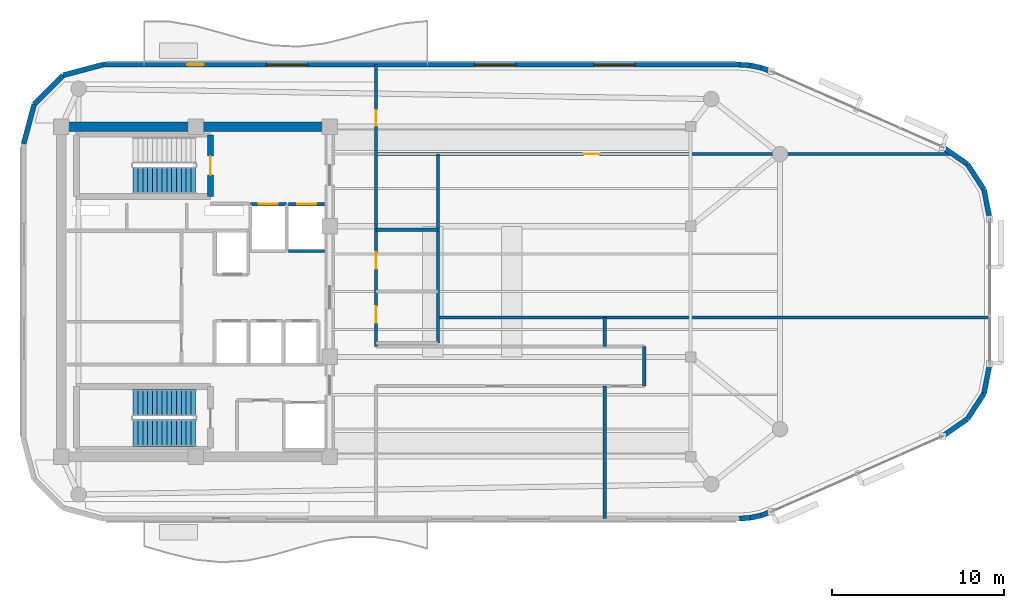
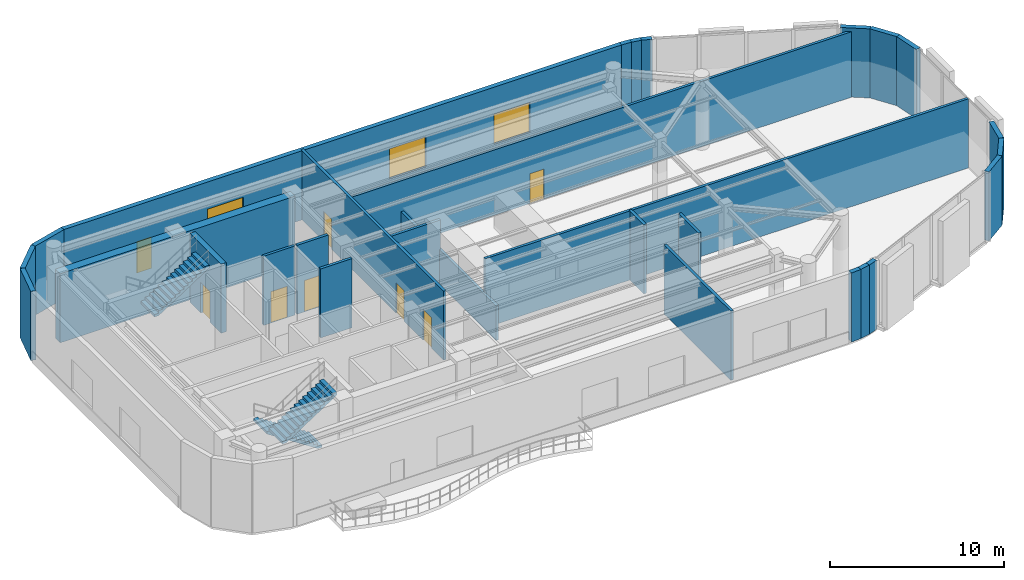
# One storey, part 9 of 12: 29 walls, 8 doors, 3 stair flights, 3 windows, 11 openings, 2 elements without a shape of their own.
"""IFC4 building model written with IfcOpenShell, lengths in metres."""

import ifcopenshell
import ifcopenshell.guid

model = None  # the IFC model being written
_history = None  # IfcOwnerHistory: only IFC2X3 demands one
_inside = {}  # id of a spatial element -> (the spatial element, [elements in it])
_under = {}  # id of a project, library or spatial element -> (it, [spatial elements below it])
_declared = {}  # id of a project -> (the project, [libraries it declares])
_typed = {}  # id of a type object -> (the type object, [elements of that type])
_made_of = {}  # id of a material, layer set ... -> (it, [elements and type objects made of it])


def new_model(schema):
    """Start an empty IFC model of exactly this schema.

    Asked for "IFC4X3", IfcOpenShell would pick the latest addendum, in which some entities
    have other attributes; the version numbers below select the first issue.
    IFC2X3 requires an IfcOwnerHistory on every rooted entity: one is made here for all.
    """
    global model, _history
    if schema == "IFC4X3":
        model = ifcopenshell.file(schema_version=(4, 3, 0, 0))
    else:
        model = ifcopenshell.file(schema=schema)
    _inside.clear()
    _under.clear()
    _declared.clear()
    _typed.clear()
    _made_of.clear()
    _history = None
    if model.schema == "IFC2X3":
        org = make("IfcOrganization", Name="unknown")
        user = make(
            "IfcPersonAndOrganization",
            ThePerson=make("IfcPerson", FamilyName="unknown"),
            TheOrganization=org,
        )
        app = make(
            "IfcApplication",
            ApplicationDeveloper=org,
            Version="unknown",
            ApplicationFullName="unknown",
            ApplicationIdentifier="unknown",
        )
        _history = make(
            "IfcOwnerHistory",
            OwningUser=user,
            OwningApplication=app,
            ChangeAction="ADDED",
            CreationDate=0,
        )
    return model


def make(cls, **values):
    """One entity of the class cls with the attributes given. An attribute that is None is left unset."""
    return model.create_entity(
        cls, **{name: value for name, value in values.items() if value is not None}
    )


def rooted(cls, **values):
    """An entity with a GlobalId (a new one), such as an element, a storey or a relation."""
    return make(cls, GlobalId=ifcopenshell.guid.new(), OwnerHistory=_history, **values)


def si_unit(unit_type, name, prefix=None):
    """IfcSIUnit, for example si_unit("LENGTHUNIT", "METRE", prefix="MILLI")."""
    return make("IfcSIUnit", UnitType=unit_type, Prefix=prefix, Name=name)


def assignment(units):
    """IfcUnitAssignment: the units of a project."""
    return None if units is None else make("IfcUnitAssignment", Units=units)


def point(xyz):
    """IfcCartesianPoint."""
    return None if xyz is None else make("IfcCartesianPoint", Coordinates=xyz)


def direction(xyz):
    """IfcDirection."""
    return None if xyz is None else make("IfcDirection", DirectionRatios=xyz)


def frame(location, z_axis=None, x_axis=None):
    """IfcAxis2Placement3D, a coordinate frame: its origin and axes. An axis left out is left unset."""
    return make(
        "IfcAxis2Placement3D",
        Location=point(location),
        Axis=direction(z_axis),
        RefDirection=direction(x_axis),
    )


def frame_2d(location, x_axis=None):
    """IfcAxis2Placement2D, a coordinate frame in the plane: its origin and x axis."""
    return make(
        "IfcAxis2Placement2D", Location=point(location), RefDirection=direction(x_axis)
    )


def origin():
    """The frame at (0, 0, 0) with its axes left unset."""
    return frame((0.0, 0.0, 0.0))


def place(relative_to, where):
    """IfcLocalPlacement: puts the frame where relative to a parent placement (None: the world)."""
    return make(
        "IfcLocalPlacement", PlacementRelTo=relative_to, RelativePlacement=where
    )


def context(
    kind, dimensions, precision=None, world=None, true_north=None, identifier=None
):
    """IfcGeometricRepresentationContext, for example the 3D "Model" context."""
    return make(
        "IfcGeometricRepresentationContext",
        ContextIdentifier=identifier,
        ContextType=kind,
        CoordinateSpaceDimension=dimensions,
        Precision=precision,
        WorldCoordinateSystem=world,
        TrueNorth=true_north,
    )


def subcontext(parent, identifier, kind, view, scale=None):
    """IfcGeometricRepresentationSubContext, for example "Body" below "Model"."""
    return make(
        "IfcGeometricRepresentationSubContext",
        ContextIdentifier=identifier,
        ContextType=kind,
        ParentContext=parent,
        TargetScale=scale,
        TargetView=view,
    )


def project(units=None, contexts=None):
    """IfcProject with its units and contexts."""
    return rooted(
        "IfcProject",
        Name="project",
        RepresentationContexts=contexts,
        UnitsInContext=assignment(units),
    )


def spatial(cls, under=None, at=None, **own):
    """A site, building, storey or space (cls), placed at a placement, below another one or the project."""
    s = rooted(cls, ObjectPlacement=at, **own)
    if under is not None:
        _under.setdefault(under.id(), (under, []))[1].append(s)
    return s


def polyline(points):
    """IfcPolyline through the points."""
    return make("IfcPolyline", Points=[point(p) for p in points])


def profile(cls, at=None, kind="AREA", **sizes):
    """A parametric profile (cls). Its sizes go by their IFC names, for example OverallWidth=200.0."""
    return make(cls, ProfileType=kind, Position=at, **sizes)


def rectangle(**sizes):
    """IfcRectangleProfileDef."""
    return profile("IfcRectangleProfileDef", **sizes)


def outline(outer, holes=None, kind="AREA"):
    """IfcArbitraryClosedProfileDef: a profile drawn as a closed curve; with holes, ...WithVoids."""
    if holes is None:
        return make("IfcArbitraryClosedProfileDef", ProfileType=kind, OuterCurve=outer)
    return make(
        "IfcArbitraryProfileDefWithVoids",
        ProfileType=kind,
        OuterCurve=outer,
        InnerCurves=holes,
    )


def extrude(swept, where, along, depth):
    """IfcExtrudedAreaSolid: the profile swept, set in the frame where, extruded along a direction by depth."""
    return make(
        "IfcExtrudedAreaSolid",
        SweptArea=swept,
        Position=where,
        ExtrudedDirection=direction(along),
        Depth=depth,
    )


def shape(context_of_items, identifier, shape_type, items):
    """IfcShapeRepresentation: the items that make up one representation, for example the "Body"."""
    return make(
        "IfcShapeRepresentation",
        ContextOfItems=context_of_items,
        RepresentationIdentifier=identifier,
        RepresentationType=shape_type,
        Items=items,
    )


def material(Name=None, Category=None):
    """IfcMaterial."""
    return make("IfcMaterial", Name=Name, Category=Category)


def layer(
    of_material, thickness, ventilated=None, Name=None, Category=None, Priority=None
):
    """IfcMaterialLayer: one layer of a wall or slab, of a material (None: an air gap)."""
    return make(
        "IfcMaterialLayer",
        Material=of_material,
        LayerThickness=thickness,
        IsVentilated=ventilated,
        Name=Name,
        Category=Category,
        Priority=Priority,
    )


def layer_set(layers, Name=None):
    """IfcMaterialLayerSet."""
    return make("IfcMaterialLayerSet", MaterialLayers=layers, LayerSetName=Name)


def made_of(thing, what):
    """Note that an element or type object is made of a material, layer set ...; save() writes the relation."""
    if what is not None:
        _made_of.setdefault(what.id(), (what, []))[1].append(thing)
    return thing


def type_object(cls, material=None, **own):
    """A type object (cls), such as IfcWallType, which elements share."""
    return made_of(rooted(cls, **own), material)


def element(
    cls,
    number,
    at=None,
    inside=None,
    cuts=None,
    type_object=None,
    material=None,
    context=None,
    identifier="Body",
    shape_type=None,
    held_by="IfcProductDefinitionShape",
    body=None,
    shapes=None,
    **own,
):
    """One element of the class cls, such as IfcWall. Its Tag is "e" and its number.

    at: its placement. inside: the storey or other place that contains it. cuts: it is an
    opening in that element (IfcRelVoidsElement). A single representation is given by context,
    identifier, shape_type and body (its items); several are given by shapes. held_by: the class
    of the entity that holds the representations. save() writes the other relations.
    """
    e = rooted(cls, Tag="e%d" % number, ObjectPlacement=at, **own)
    if body is not None:
        shapes = [shape(context, identifier, shape_type, body)]
    if shapes is not None:
        e.Representation = make(held_by, Representations=shapes)
    if inside is not None:
        _inside.setdefault(inside.id(), (inside, []))[1].append(e)
    if cuts is not None:
        rooted(
            "IfcRelVoidsElement", RelatingBuildingElement=cuts, RelatedOpeningElement=e
        )
    if type_object is not None:
        _typed.setdefault(type_object.id(), (type_object, []))[1].append(e)
    return made_of(e, material)


def fill(opening, filler):
    """IfcRelFillsElement: the door or window that sits in an opening."""
    return rooted(
        "IfcRelFillsElement",
        RelatingOpeningElement=opening,
        RelatedBuildingElement=filler,
    )


def aggregate(whole, parts):
    """IfcRelAggregates: a whole, such as a stair, and the parts it consists of."""
    return rooted("IfcRelAggregates", RelatingObject=whole, RelatedObjects=parts)


def save(model, path):
    """Write the relations noted so far, then the file.

    IfcRelAggregates (storeys below a building ...), IfcRelContainedInSpatialStructure (elements
    in a storey), IfcRelDefinesByType, IfcRelAssociatesMaterial and IfcRelDeclares: one each for
    every whole, place, type object, material and project.
    """
    for whole, parts in _under.values():
        aggregate(whole, parts)
    for where, things in _inside.values():
        rooted(
            "IfcRelContainedInSpatialStructure",
            RelatedElements=things,
            RelatingStructure=where,
        )
    for kind, things in _typed.values():
        rooted("IfcRelDefinesByType", RelatedObjects=things, RelatingType=kind)
    for what, things in _made_of.values():
        rooted("IfcRelAssociatesMaterial", RelatedObjects=things, RelatingMaterial=what)
    for by, libraries in _declared.values():
        rooted("IfcRelDeclares", RelatingContext=by, RelatedDefinitions=libraries)
    model.write(path)


model = new_model("IFC4")

# Units and contexts
model_context = context("Model", 3, precision=1e-05, world=origin(), true_north=direction((0.0, 1.0)))
body_context = subcontext(model_context, "Body", "Model", "MODEL_VIEW")
ifc_project = project(units=[si_unit("LENGTHUNIT", "METRE"), si_unit("AREAUNIT", "SQUARE_METRE"), si_unit("VOLUMEUNIT", "CUBIC_METRE"), si_unit("PLANEANGLEUNIT", "RADIAN"), si_unit("MASSUNIT", "GRAM", prefix="KILO")], contexts=[model_context])

# Site, building, storey
site_placement = place(None, origin())
site = spatial("IfcSite", under=ifc_project, at=site_placement, CompositionType="ELEMENT")
building_placement = place(site_placement, origin())
building = spatial("IfcBuilding", under=site, at=building_placement, Name="An Khanh Terracotta Commons", CompositionType="ELEMENT")
storey_placement = place(building_placement, frame((0.0, 0.0, 295.300048828125)))
storey = spatial("IfcBuildingStorey", under=building, at=storey_placement, Name="L77", CompositionType="ELEMENT", Elevation=295.300048828125)

# Wall
ifc_material_1 = material(Name="Concrete C50/60", Category="concrete")
ifc_layer_1 = layer(ifc_material_1, 0.550048828125, Name="Concrete C50/60")
ifc_layer_set_1 = layer_set([ifc_layer_1], Name="Concrete C50/60")
wall_type_1 = type_object("IfcWallType", Name="WALL-CORE-550", PredefinedType="SHEAR", material=ifc_layer_set_1)
wall_1_placement = place(storey_placement, frame((21.60009765625, 33.60009765625, 0.0), z_axis=(0.0, 0.0, 1.0), x_axis=(1.0, 0.0, 0.0)))
element("IfcWall", 1, at=wall_1_placement, inside=storey, type_object=wall_type_1, Name="L77 Core Wall CWALL-L77-N", PredefinedType="SHEAR", context=body_context, shape_type="SweptSolid", body=[
    extrude(rectangle(XDim=15.599853515625, YDim=0.550048828125, at=frame_2d((7.7998046875, 0.0))), origin(), (0.0, 0.0, 1.0), 4.849853515625),
])

# Wall, opening, door
ifc_material_2 = material(Name="Fire-Rated Gypsum Board on Steel Stud", Category="steel")
ifc_layer_2 = layer(ifc_material_2, 0.179931640625, Name="Fire-Rated Gypsum Board on Steel Stud")
ifc_layer_set_2 = layer_set([ifc_layer_2], Name="Fire-Rated Gypsum Board on Steel Stud")
wall_type_2 = type_object("IfcWallType", Name="WALL-CORR-180", PredefinedType="PARTITIONING", material=ifc_layer_set_2)
wall_2_placement = place(storey_placement, frame((32.60009765625, 29.080078125, 0.0), z_axis=(0.0, 0.0, 1.0), x_axis=(1.0, 0.0, 0.0)))
wall_2 = element("IfcWall", 2, at=wall_2_placement, inside=storey, type_object=wall_type_2, Name="L77 Core Wall LSH-L77-FFL-01-N", PredefinedType="PARTITIONING", context=body_context, shape_type="SweptSolid", body=[
    extrude(rectangle(XDim=2.079833984375, YDim=0.179931640625, at=frame_2d((1.0400390625, 0.0))), origin(), (0.0, 0.0, 1.0), 4.849853515625),
])
opening_1_placement = place(wall_2_placement, frame((0.489990234375, 0.0, 0.0)))
opening_1 = element("IfcOpeningElement", 3, at=opening_1_placement, cuts=wall_2, Name="Opening LD-FFL-01-L77", PredefinedType="OPENING", context=body_context, shape_type="SweptSolid", body=[
    extrude(rectangle(XDim=1.10009765625, YDim=2.199951171875, at=frame_2d((0.550048828125, 1.10009765625))), frame((0.0, 0.099853515625, 0.0), z_axis=(0.0, -1.0, 0.0), x_axis=(1.0, 0.0, 0.0)), (0.0, 0.0, 1.0), 0.199951171875),
])
ifc_material_3 = material(Name="Brushed Stainless Steel Fire Landing Door", Category="steel")
door_type_1 = type_object("IfcDoorType", Name="DOOR-LD-FFL-1100", OperationType="NOTDEFINED", PredefinedType="DOOR", material=ifc_material_3)
door_1_placement = place(opening_1_placement, origin())
door_1 = element("IfcDoor", 4, at=door_1_placement, inside=storey, type_object=door_type_1, Name="L77 Lift FFL-01 Sliding Landing Door", OperationType="DOUBLE_DOOR_SLIDING", OverallHeight=2.199951171875, OverallWidth=1.10009765625, PredefinedType="DOOR", context=body_context, shape_type="SweptSolid", body=[
    extrude(rectangle(XDim=1.10009765625, YDim=2.199951171875, at=frame_2d((0.550048828125, 1.10009765625))), frame((0.0, 0.02490234375, 0.0), z_axis=(0.0, -1.0, 0.0), x_axis=(1.0, 0.0, 0.0)), (0.0, 0.0, 1.0), 0.050048828125),
])
fill(opening_1, door_1)

wall_3_placement = place(storey_placement, frame((34.820068359375, 29.080078125, 0.0), z_axis=(0.0, 0.0, 1.0), x_axis=(1.0, 0.0, 0.0)))
wall_3 = element("IfcWall", 5, at=wall_3_placement, inside=storey, type_object=wall_type_2, Name="L77 Core Wall LSH-L77-FFL-02-N", PredefinedType="PARTITIONING", context=body_context, shape_type="SweptSolid", body=[
    extrude(rectangle(XDim=2.079833984375, YDim=0.179931640625, at=frame_2d((1.0400390625, 0.0))), origin(), (0.0, 0.0, 1.0), 4.849853515625),
])
opening_2_placement = place(wall_3_placement, frame((0.489990234375, 0.0, 0.0)))
opening_2 = element("IfcOpeningElement", 6, at=opening_2_placement, cuts=wall_3, Name="Opening LD-FFL-02-L77", PredefinedType="OPENING", context=body_context, shape_type="SweptSolid", body=[
    extrude(rectangle(XDim=1.10009765625, YDim=2.199951171875, at=frame_2d((0.550048828125, 1.10009765625))), frame((0.0, 0.099853515625, 0.0), z_axis=(0.0, -1.0, 0.0), x_axis=(1.0, 0.0, 0.0)), (0.0, 0.0, 1.0), 0.199951171875),
])
door_2_placement = place(opening_2_placement, origin())
door_2 = element("IfcDoor", 7, at=door_2_placement, inside=storey, type_object=door_type_1, Name="L77 Lift FFL-02 Sliding Landing Door", OperationType="DOUBLE_DOOR_SLIDING", OverallHeight=2.199951171875, OverallWidth=1.10009765625, PredefinedType="DOOR", context=body_context, shape_type="SweptSolid", body=[
    extrude(rectangle(XDim=1.10009765625, YDim=2.199951171875, at=frame_2d((0.550048828125, 1.10009765625))), frame((0.0, 0.02490234375, 0.0), z_axis=(0.0, -1.0, 0.0), x_axis=(1.0, 0.0, 0.0)), (0.0, 0.0, 1.0), 0.050048828125),
])
fill(opening_2, door_2)

# Walls
wall_4_placement = place(storey_placement, frame((36.89990234375, 26.35009765625, 0.0), z_axis=(0.0, 0.0, 1.0), x_axis=(-1.0, 0.0, 0.0)))
element("IfcWall", 8, at=wall_4_placement, inside=storey, type_object=wall_type_2, Name="L77 Core Wall LSH-L77-FFL-02-S", PredefinedType="PARTITIONING", context=body_context, shape_type="SweptSolid", body=[
    extrude(rectangle(XDim=2.079833984375, YDim=0.179931640625, at=frame_2d((1.0400390625, 0.0))), origin(), (0.0, 0.0, 1.0), 4.849853515625),
])
wall_5_placement = place(storey_placement, frame((43.5, 22.5, 0.0), z_axis=(0.0, 0.0, 1.0), x_axis=(1.0, 0.0, 0.0)))
element("IfcWall", 9, at=wall_5_placement, inside=storey, type_object=wall_type_2, Name="L77 Interior Partition IW-L77-E004", PredefinedType="PARTITIONING", context=body_context, shape_type="SweptSolid", body=[
    extrude(rectangle(XDim=32.10009765625, YDim=0.179931640625, at=frame_2d((16.050048828125, 0.0))), origin(), (0.0, 0.0, 1.0), 4.849853515625),
])
wall_6_placement = place(storey_placement, frame((39.89990234375, 27.60009765625, 0.0), z_axis=(0.0, 0.0, 1.0), x_axis=(1.0, 0.0, 0.0)))
element("IfcWall", 10, at=wall_6_placement, inside=storey, type_object=wall_type_2, Name="L77 Interior Partition IW-L77-E006", PredefinedType="PARTITIONING", context=body_context, shape_type="SweptSolid", body=[
    extrude(rectangle(XDim=3.60009765625, YDim=0.179931640625, at=frame_2d((1.800048828125, 0.0))), origin(), (0.0, 0.0, 1.0), 4.491943359375),
])

# Wall, opening, door
wall_7_placement = place(storey_placement, frame((39.89990234375, 32.0, 0.0), z_axis=(0.0, 0.0, 1.0), x_axis=(1.0, 0.0, 0.0)))
wall_7 = element("IfcWall", 11, at=wall_7_placement, inside=storey, type_object=wall_type_2, Name="L77 Interior Partition IW-L77-E007", PredefinedType="PARTITIONING", context=body_context, shape_type="SweptSolid", body=[
    extrude(rectangle(XDim=33.547119140625, YDim=0.179931640625, at=frame_2d((16.7734375, 0.0))), origin(), (0.0, 0.0, 1.0), 4.592041015625),
])
opening_3_placement = place(wall_7_placement, frame((12.080078125, 0.0, 0.0)))
opening_3 = element("IfcOpeningElement", 12, at=opening_3_placement, cuts=wall_7, Name="Opening D-RM", PredefinedType="OPENING", context=body_context, shape_type="SweptSolid", body=[
    extrude(rectangle(XDim=0.919921875, YDim=2.10009765625, at=frame_2d((0.4599609375, 1.050048828125))), frame((0.0, 0.099853515625, 0.0), z_axis=(0.0, -1.0, 0.0), x_axis=(1.0, 0.0, 0.0)), (0.0, 0.0, 1.0), 0.199951171875),
])
ifc_material_4 = material(Name="Engineered Hardwood Timber Leaf", Category="wood")
door_type_2 = type_object("IfcDoorType", Name="DOOR-INT-920", OperationType="NOTDEFINED", PredefinedType="DOOR", material=ifc_material_4)
door_3_placement = place(opening_3_placement, origin())
door_3 = element("IfcDoor", 13, at=door_3_placement, inside=storey, type_object=door_type_2, Name="L77 SKIT Summit Banquet Hall Door", OperationType="SINGLE_SWING_RIGHT", OverallHeight=2.10009765625, OverallWidth=0.919921875, PredefinedType="DOOR", context=body_context, shape_type="SweptSolid", body=[
    extrude(rectangle(XDim=0.919921875, YDim=2.10009765625, at=frame_2d((0.4599609375, 1.050048828125))), frame((0.0, 0.02490234375, 0.0), z_axis=(0.0, -1.0, 0.0), x_axis=(1.0, 0.0, 0.0)), (0.0, 0.0, 1.0), 0.050048828125),
])
fill(opening_3, door_3)

# Wall, openings, doors
wall_8_placement = place(storey_placement, frame((39.89990234375, 20.800048828125, 0.0), z_axis=(0.0, 0.0, 1.0), x_axis=(0.0, 1.0, 0.0)))
wall_8 = element("IfcWall", 14, at=wall_8_placement, inside=storey, type_object=wall_type_2, Name="L77 Interior Partition IW-L77-E009", PredefinedType="PARTITIONING", context=body_context, shape_type="SweptSolid", body=[
    extrude(rectangle(XDim=16.39990234375, YDim=0.179931640625, at=frame_2d((8.199951171875, 0.0))), origin(), (0.0, 0.0, 1.0), 4.849853515625),
])
opening_4_placement = place(wall_8_placement, frame((1.385009765625, 0.0, 0.0)))
opening_4 = element("IfcOpeningElement", 15, at=opening_4_placement, cuts=wall_8, Name="Opening D-LWC", PredefinedType="OPENING", context=body_context, shape_type="SweptSolid", body=[
    extrude(rectangle(XDim=0.949951171875, YDim=2.14990234375, at=frame_2d((0.47509765625, 1.074951171875))), frame((0.0, 0.099853515625, 0.0), z_axis=(0.0, -1.0, 0.0), x_axis=(1.0, 0.0, 0.0)), (0.0, 0.0, 1.0), 0.199951171875),
])
opening_5_placement = place(wall_8_placement, frame((4.52490234375, 0.0, 0.0)))
opening_5 = element("IfcOpeningElement", 16, at=opening_5_placement, cuts=wall_8, Name="Opening D-LWC", PredefinedType="OPENING", context=body_context, shape_type="SweptSolid", body=[
    extrude(rectangle(XDim=0.949951171875, YDim=2.14990234375, at=frame_2d((0.47509765625, 1.074951171875))), frame((0.0, 0.099853515625, 0.0), z_axis=(0.0, -1.0, 0.0), x_axis=(1.0, 0.0, 0.0)), (0.0, 0.0, 1.0), 0.199951171875),
])
opening_6_placement = place(wall_8_placement, frame((12.840087890625, 0.0, 0.0)))
opening_6 = element("IfcOpeningElement", 17, at=opening_6_placement, cuts=wall_8, Name="Opening D-RM", PredefinedType="OPENING", context=body_context, shape_type="SweptSolid", body=[
    extrude(rectangle(XDim=0.919921875, YDim=2.10009765625, at=frame_2d((0.4599609375, 1.050048828125))), frame((0.0, 0.099853515625, 0.0), z_axis=(0.0, -1.0, 0.0), x_axis=(1.0, 0.0, 0.0)), (0.0, 0.0, 1.0), 0.199951171875),
])
door_4_placement = place(opening_6_placement, origin())
door_4 = element("IfcDoor", 18, at=door_4_placement, inside=storey, type_object=door_type_2, Name="L77 SLNG Summit Riverfront Dining Hall Door", OperationType="SINGLE_SWING_LEFT", OverallHeight=2.10009765625, OverallWidth=0.919921875, PredefinedType="DOOR", context=body_context, shape_type="SweptSolid", body=[
    extrude(rectangle(XDim=0.919921875, YDim=2.10009765625, at=frame_2d((0.4599609375, 1.050048828125))), frame((0.0, 0.02490234375, 0.0), z_axis=(0.0, -1.0, 0.0), x_axis=(1.0, 0.0, 0.0)), (0.0, 0.0, 1.0), 0.050048828125),
])
fill(opening_6, door_4)
ifc_material_5 = material(Name="Fire-Rated Moisture-Resistant Laminate Timber Leaf", Category="wood")
door_type_3 = type_object("IfcDoorType", Name="DOOR-LOBWC-950", OperationType="NOTDEFINED", PredefinedType="DOOR", material=ifc_material_5)
door_5_placement = place(opening_4_placement, origin())
door_5 = element("IfcDoor", 19, at=door_5_placement, inside=storey, type_object=door_type_3, Name="L77 AWC Sky Lobby Accessible WC Door", OperationType="SINGLE_SWING_LEFT", OverallHeight=2.14990234375, OverallWidth=0.949951171875, PredefinedType="DOOR", context=body_context, shape_type="SweptSolid", body=[
    extrude(rectangle(XDim=0.949951171875, YDim=2.14990234375, at=frame_2d((0.47509765625, 1.074951171875))), frame((0.0, 0.02490234375, 0.0), z_axis=(0.0, -1.0, 0.0), x_axis=(1.0, 0.0, 0.0)), (0.0, 0.0, 1.0), 0.050048828125),
])
fill(opening_4, door_5)
door_6_placement = place(opening_5_placement, origin())
door_6 = element("IfcDoor", 20, at=door_6_placement, inside=storey, type_object=door_type_3, Name="L77 WCB Sky Lobby Public Restrooms Door", OperationType="SINGLE_SWING_RIGHT", OverallHeight=2.14990234375, OverallWidth=0.949951171875, PredefinedType="DOOR", context=body_context, shape_type="SweptSolid", body=[
    extrude(rectangle(XDim=0.949951171875, YDim=2.14990234375, at=frame_2d((0.47509765625, 1.074951171875))), frame((0.0, 0.02490234375, 0.0), z_axis=(0.0, -1.0, 0.0), x_axis=(1.0, 0.0, 0.0)), (0.0, 0.0, 1.0), 0.050048828125),
])
fill(opening_5, door_6)

# Walls
wall_9_placement = place(storey_placement, frame((43.5, 21.0, 0.0), z_axis=(0.0, 0.0, 1.0), x_axis=(0.0, 1.0, 0.0)))
element("IfcWall", 21, at=wall_9_placement, inside=storey, type_object=wall_type_2, Name="L77 Interior Partition IW-L77-E010", PredefinedType="PARTITIONING", context=body_context, shape_type="SweptSolid", body=[
    extrude(rectangle(XDim=11.0, YDim=0.179931640625, at=frame_2d((5.5, 0.0))), origin(), (0.0, 0.0, 1.0), 2.431884765625),
])
wall_10_placement = place(storey_placement, frame((53.199951171875, 10.800048828125, 0.0), z_axis=(0.0, 0.0, 1.0), x_axis=(0.0, 1.0, 0.0)))
element("IfcWall", 22, at=wall_10_placement, inside=storey, type_object=wall_type_2, Name="L77 Interior Partition IW-L77-E011", PredefinedType="PARTITIONING", context=body_context, shape_type="SweptSolid", body=[
    extrude(rectangle(XDim=7.699951171875, YDim=0.179931640625, at=frame_2d((3.85009765625, 0.0))), origin(), (0.0, 0.0, 1.0), 4.849853515625),
])
wall_11_placement = place(storey_placement, frame((53.199951171875, 20.800048828125, 0.0), z_axis=(0.0, 0.0, 1.0), x_axis=(0.0, 1.0, 0.0)))
element("IfcWall", 23, at=wall_11_placement, inside=storey, type_object=wall_type_2, Name="L77 Interior Partition IW-L77-E012", PredefinedType="PARTITIONING", context=body_context, shape_type="SweptSolid", body=[
    extrude(rectangle(XDim=1.699951171875, YDim=0.179931640625, at=frame_2d((0.85009765625, 0.0))), origin(), (0.0, 0.0, 1.0), 4.849853515625),
])
wall_12_placement = place(storey_placement, frame((55.5, 18.5, 0.0), z_axis=(0.0, 0.0, 1.0), x_axis=(0.0, 1.0, 0.0)))
element("IfcWall", 24, at=wall_12_placement, inside=storey, type_object=wall_type_2, Name="L77 Interior Partition IW-L77-E013", PredefinedType="PARTITIONING", context=body_context, shape_type="SweptSolid", body=[
    extrude(rectangle(XDim=2.300048828125, YDim=0.179931640625, at=frame_2d((1.14990234375, 0.0))), origin(), (0.0, 0.0, 1.0), 4.849853515625),
])
ifc_material_6 = material(Name="Precast concrete C40/50", Category="concrete")
ifc_layer_3 = layer(ifc_material_6, 0.300048828125, Name="Precast concrete C40/50")
ifc_layer_set_3 = layer_set([ifc_layer_3], Name="Precast concrete C40/50")
wall_type_3 = type_object("IfcWallType", Name="WALL-EXT-300", PredefinedType="SOLIDWALL", material=ifc_layer_set_3)
wall_13_placement = place(storey_placement, frame((61.030029296875, 10.800048828125, 0.0), z_axis=(0.0, 0.0, 1.0), x_axis=(0.997613959688, 0.069039028352, 0.0)))
element("IfcWall", 25, at=wall_13_placement, inside=storey, type_object=wall_type_3, Name="L77 Insulated Terracotta Exterior Wall 5", PredefinedType="SOLIDWALL", context=body_context, shape_type="SweptSolid", body=[
    extrude(rectangle(XDim=0.636474609375, YDim=0.300048828125, at=frame_2d((0.318359375, 0.0))), origin(), (0.0, 0.0, 1.0), 4.849853515625),
])
wall_14_placement = place(storey_placement, frame((61.6650390625, 10.843994140625, 0.0), z_axis=(0.0, 0.0, 1.0), x_axis=(0.97857012251, 0.205913854149, 0.0)))
element("IfcWall", 26, at=wall_14_placement, inside=storey, type_object=wall_type_3, Name="L77 Insulated Terracotta Exterior Wall 6", PredefinedType="SOLIDWALL", context=body_context, shape_type="SweptSolid", body=[
    extrude(rectangle(XDim=0.63671875, YDim=0.300048828125, at=frame_2d((0.318359375, 0.0))), origin(), (0.0, 0.0, 1.0), 4.849853515625),
])
wall_15_placement = place(storey_placement, frame((62.2880859375, 10.97509765625, 0.0), z_axis=(0.0, 0.0, 1.0), x_axis=(0.94077491148, 0.339031806665, 0.0)))
element("IfcWall", 27, at=wall_15_placement, inside=storey, type_object=wall_type_3, Name="L77 Insulated Terracotta Exterior Wall 7", PredefinedType="SOLIDWALL", context=body_context, shape_type="SweptSolid", body=[
    extrude(rectangle(XDim=0.636474609375, YDim=0.300048828125, at=frame_2d((0.318359375, 0.0))), origin(), (0.0, 0.0, 1.0), 4.849853515625),
])
wall_16_placement = place(storey_placement, frame((72.85693359375, 15.590087890625, 0.0), z_axis=(0.0, 0.0, 1.0), x_axis=(0.821006966142, 0.570918174124, 0.0)))
element("IfcWall", 28, at=wall_16_placement, inside=storey, type_object=wall_type_3, Name="L77 Insulated Terracotta Exterior Wall 9", PredefinedType="SOLIDWALL", context=body_context, shape_type="SweptSolid", body=[
    extrude(rectangle(XDim=1.760009765625, YDim=0.300048828125, at=frame_2d((0.8798828125, 0.0))), origin(), (0.0, 0.0, 1.0), 4.849853515625),
])
for number, where, z_axis, x_axis, name in (
    (29, (74.302001953125, 16.594970703125, 0.0), (0.0, 0.0, 1.0), (0.545836224831, 0.837891887813, 0.0), "L77 Insulated Terracotta Exterior Wall 10"),
    (30, (75.262939453125, 18.070068359375, 0.0), (0.0, 0.0, 1.0), (0.1915005851, 0.981492499159, 0.0), "L77 Insulated Terracotta Exterior Wall 11"),
    (31, (75.60009765625, 28.201904296875, 0.0), (0.0, 0.0, 1.0), (-0.1915005851, 0.981492499159, 0.0), "L77 Insulated Terracotta Exterior Wall 13"),
    (32, (75.262939453125, 29.929931640625, 0.0), (0.0, 0.0, 1.0), (-0.545836224831, 0.837891887813, 0.0), "L77 Insulated Terracotta Exterior Wall 14"),
):
    element("IfcWall", number, at=place(storey_placement, frame(where, z_axis=z_axis, x_axis=x_axis)), inside=storey, type_object=wall_type_3, Name=name, PredefinedType="SOLIDWALL", context=body_context, shape_type="SweptSolid", body=[
        extrude(rectangle(XDim=1.760498046875, YDim=0.300048828125, at=frame_2d((0.88037109375, 0.0))), origin(), (0.0, 0.0, 1.0), 4.849853515625),
    ])
wall_17_placement = place(storey_placement, frame((74.302001953125, 31.405029296875, 0.0), z_axis=(0.0, 0.0, 1.0), x_axis=(-0.821006966142, 0.570918174124, 0.0)))
element("IfcWall", 33, at=wall_17_placement, inside=storey, type_object=wall_type_3, Name="L77 Insulated Terracotta Exterior Wall 15", PredefinedType="SOLIDWALL", context=body_context, shape_type="SweptSolid", body=[
    extrude(rectangle(XDim=1.760009765625, YDim=0.300048828125, at=frame_2d((0.8798828125, 0.0))), origin(), (0.0, 0.0, 1.0), 4.849853515625),
])
wall_18_placement = place(storey_placement, frame((62.886962890625, 36.80908203125, 0.0), z_axis=(0.0, 0.0, 1.0), x_axis=(-0.94077491148, 0.339031806665, 0.0)))
element("IfcWall", 34, at=wall_18_placement, inside=storey, type_object=wall_type_3, Name="L77 Insulated Terracotta Exterior Wall 17", PredefinedType="SOLIDWALL", context=body_context, shape_type="SweptSolid", body=[
    extrude(rectangle(XDim=0.636474609375, YDim=0.300048828125, at=frame_2d((0.318359375, 0.0))), origin(), (0.0, 0.0, 1.0), 4.849853515625),
])
wall_19_placement = place(storey_placement, frame((62.2880859375, 37.02490234375, 0.0), z_axis=(0.0, 0.0, 1.0), x_axis=(-0.97857012251, 0.205913854149, 0.0)))
element("IfcWall", 35, at=wall_19_placement, inside=storey, type_object=wall_type_3, Name="L77 Insulated Terracotta Exterior Wall 18", PredefinedType="SOLIDWALL", context=body_context, shape_type="SweptSolid", body=[
    extrude(rectangle(XDim=0.63671875, YDim=0.300048828125, at=frame_2d((0.318359375, 0.0))), origin(), (0.0, 0.0, 1.0), 4.849853515625),
])
wall_20_placement = place(storey_placement, frame((61.6650390625, 37.156005859375, 0.0), z_axis=(0.0, 0.0, 1.0), x_axis=(-0.997613959688, 0.069039028352, 0.0)))
element("IfcWall", 36, at=wall_20_placement, inside=storey, type_object=wall_type_3, Name="L77 Insulated Terracotta Exterior Wall 19", PredefinedType="SOLIDWALL", context=body_context, shape_type="SweptSolid", body=[
    extrude(rectangle(XDim=0.636474609375, YDim=0.300048828125, at=frame_2d((0.318359375, 0.0))), origin(), (0.0, 0.0, 1.0), 4.849853515625),
])

# Wall, openings, door, windows
wall_21_placement = place(storey_placement, frame((61.030029296875, 37.199951171875, 0.0), z_axis=(0.0, 0.0, 1.0), x_axis=(-1.0, 0.0, 0.0)))
wall_21 = element("IfcWall", 37, at=wall_21_placement, inside=storey, type_object=wall_type_3, Name="L77 Insulated Terracotta Exterior Wall 20", PredefinedType="SOLIDWALL", context=body_context, shape_type="SweptSolid", body=[
    extrude(rectangle(XDim=37.030029296875, YDim=0.300048828125, at=frame_2d((18.51513671875, 0.0))), origin(), (0.0, 0.0, 1.0), 4.849853515625),
])
opening_7_placement = place(wall_21_placement, frame((31.155029296875, 0.0, 0.0)))
opening_7 = element("IfcOpeningElement", 38, at=opening_7_placement, cuts=wall_21, Name="Opening D-BAL", PredefinedType="OPENING", context=body_context, shape_type="SweptSolid", body=[
    extrude(rectangle(XDim=0.949951171875, YDim=2.199951171875, at=frame_2d((0.47509765625, 1.10009765625))), frame((0.0, 0.159912109375, 0.0), z_axis=(0.0, -1.0, 0.0), x_axis=(1.0, 0.0, 0.0)), (0.0, 0.0, 1.0), 0.320068359375),
])
opening_8_placement = place(wall_21_placement, frame((6.076904296875, 0.0, 0.85009765625)))
opening_8 = element("IfcOpeningElement", 39, at=opening_8_placement, cuts=wall_21, Name="Opening W-07", PredefinedType="OPENING", context=body_context, shape_type="SweptSolid", body=[
    extrude(rectangle(XDim=2.39990234375, YDim=2.10009765625, at=frame_2d((1.199951171875, 1.050048828125))), frame((0.0, 0.159912109375, 0.0), z_axis=(0.0, -1.0, 0.0), x_axis=(1.0, 0.0, 0.0)), (0.0, 0.0, 1.0), 0.320068359375),
])
opening_9_placement = place(wall_21_placement, frame((13.0029296875, 0.0, 0.85009765625)))
opening_9 = element("IfcOpeningElement", 40, at=opening_9_placement, cuts=wall_21, Name="Opening W-07", PredefinedType="OPENING", context=body_context, shape_type="SweptSolid", body=[
    extrude(rectangle(XDim=2.39990234375, YDim=2.10009765625, at=frame_2d((1.199951171875, 1.050048828125))), frame((0.0, 0.159912109375, 0.0), z_axis=(0.0, -1.0, 0.0), x_axis=(1.0, 0.0, 0.0)), (0.0, 0.0, 1.0), 0.320068359375),
])
opening_10_placement = place(wall_21_placement, frame((25.113037109375, 0.0, 0.85009765625)))
opening_10 = element("IfcOpeningElement", 41, at=opening_10_placement, cuts=wall_21, Name="Opening W-07", PredefinedType="OPENING", context=body_context, shape_type="SweptSolid", body=[
    extrude(rectangle(XDim=2.39990234375, YDim=2.10009765625, at=frame_2d((1.199951171875, 1.050048828125))), frame((0.0, 0.159912109375, 0.0), z_axis=(0.0, -1.0, 0.0), x_axis=(1.0, 0.0, 0.0)), (0.0, 0.0, 1.0), 0.320068359375),
])
ifc_material_7 = material(Name="Thermally Broken Aluminium and Low-E Glass", Category="aluminium")
door_type_4 = type_object("IfcDoorType", Name="DOOR-BALC-950", OperationType="NOTDEFINED", PredefinedType="DOOR", material=ifc_material_7)
door_7_placement = place(opening_7_placement, origin())
door_7 = element("IfcDoor", 42, at=door_7_placement, inside=storey, type_object=door_type_4, Name="L77 N Wave Balcony Glazed Door", OperationType="SINGLE_SWING_RIGHT", OverallHeight=2.199951171875, OverallWidth=0.949951171875, PredefinedType="DOOR", context=body_context, shape_type="SweptSolid", body=[
    extrude(rectangle(XDim=0.949951171875, YDim=2.199951171875, at=frame_2d((0.47509765625, 1.10009765625))), frame((0.0, 0.02490234375, 0.0), z_axis=(0.0, -1.0, 0.0), x_axis=(1.0, 0.0, 0.0)), (0.0, 0.0, 1.0), 0.050048828125),
])
fill(opening_7, door_7)
window_type = type_object("IfcWindowType", Name="WIN-SKY-2400x2100", PartitioningType="TRIPLE_PANEL_VERTICAL", PredefinedType="WINDOW", material=ifc_material_7)
window_1_placement = place(opening_8_placement, origin())
window_1 = element("IfcWindow", 43, at=window_1_placement, inside=storey, type_object=window_type, Name="L77 Operable Casement Window 20.1", OverallHeight=2.10009765625, OverallWidth=2.39990234375, PartitioningType="TRIPLE_PANEL_VERTICAL", PredefinedType="WINDOW", context=body_context, shape_type="SweptSolid", body=[
    extrude(rectangle(XDim=2.39990234375, YDim=2.10009765625, at=frame_2d((1.199951171875, 1.050048828125))), frame((0.0, 0.030029296875, 0.0), z_axis=(0.0, -1.0, 0.0), x_axis=(1.0, 0.0, 0.0)), (0.0, 0.0, 1.0), 0.06005859375),
])
fill(opening_8, window_1)
window_2_placement = place(opening_9_placement, origin())
window_2 = element("IfcWindow", 44, at=window_2_placement, inside=storey, type_object=window_type, Name="L77 Operable Casement Window 20.2", OverallHeight=2.10009765625, OverallWidth=2.39990234375, PartitioningType="TRIPLE_PANEL_VERTICAL", PredefinedType="WINDOW", context=body_context, shape_type="SweptSolid", body=[
    extrude(rectangle(XDim=2.39990234375, YDim=2.10009765625, at=frame_2d((1.199951171875, 1.050048828125))), frame((0.0, 0.030029296875, 0.0), z_axis=(0.0, -1.0, 0.0), x_axis=(1.0, 0.0, 0.0)), (0.0, 0.0, 1.0), 0.06005859375),
])
fill(opening_9, window_2)
window_3_placement = place(opening_10_placement, origin())
window_3 = element("IfcWindow", 45, at=window_3_placement, inside=storey, type_object=window_type, Name="L77 Operable Casement Window 20.3", OverallHeight=2.10009765625, OverallWidth=2.39990234375, PartitioningType="TRIPLE_PANEL_VERTICAL", PredefinedType="WINDOW", context=body_context, shape_type="SweptSolid", body=[
    extrude(rectangle(XDim=2.39990234375, YDim=2.10009765625, at=frame_2d((1.199951171875, 1.050048828125))), frame((0.0, 0.030029296875, 0.0), z_axis=(0.0, -1.0, 0.0), x_axis=(1.0, 0.0, 0.0)), (0.0, 0.0, 1.0), 0.06005859375),
])
fill(opening_10, window_3)

# Walls
wall_22_placement = place(storey_placement, frame((24.0, 37.199951171875, 0.0), z_axis=(0.0, 0.0, 1.0), x_axis=(-0.965960405575, -0.25868995895, 0.0)))
element("IfcWall", 46, at=wall_22_placement, inside=storey, type_object=wall_type_3, Name="L77 Insulated Terracotta Exterior Wall 21", PredefinedType="SOLIDWALL", context=body_context, shape_type="SweptSolid", body=[
    extrude(rectangle(XDim=2.381103515625, YDim=0.300048828125, at=frame_2d((1.1904296875, 0.0))), origin(), (0.0, 0.0, 1.0), 4.849853515625),
])
wall_23_placement = place(storey_placement, frame((21.699951171875, 36.583984375, 0.0), z_axis=(0.0, 0.0, 1.0), x_axis=(-0.707055521135, -0.707158037522, 0.0)))
element("IfcWall", 47, at=wall_23_placement, inside=storey, type_object=wall_type_3, Name="L77 Insulated Terracotta Exterior Wall 22", PredefinedType="SOLIDWALL", context=body_context, shape_type="SweptSolid", body=[
    extrude(rectangle(XDim=2.381591796875, YDim=0.300048828125, at=frame_2d((1.19091796875, 0.0))), origin(), (0.0, 0.0, 1.0), 4.849853515625),
])
wall_24_placement = place(storey_placement, frame((20.01611328125, 34.89990234375, 0.0), z_axis=(0.0, 0.0, 1.0), x_axis=(-0.258811258154, -0.965927912762, 0.0)))
element("IfcWall", 48, at=wall_24_placement, inside=storey, type_object=wall_type_3, Name="L77 Insulated Terracotta Exterior Wall 23", PredefinedType="SOLIDWALL", context=body_context, shape_type="SweptSolid", body=[
    extrude(rectangle(XDim=2.380859375, YDim=0.300048828125, at=frame_2d((1.1904296875, 0.0))), origin(), (0.0, 0.0, 1.0), 4.849853515625),
])

# Wall, opening, door
ifc_layer_4 = layer(ifc_material_1, 0.35009765625, Name="Concrete C50/60")
ifc_layer_set_4 = layer_set([ifc_layer_4], Name="Concrete C50/60")
wall_type_4 = type_object("IfcWallType", Name="WALL-SHAFT-350", PredefinedType="SOLIDWALL", material=ifc_layer_set_4)
wall_25_placement = place(storey_placement, frame((30.27001953125, 29.530029296875, 0.0), z_axis=(0.0, 0.0, 1.0), x_axis=(0.0, 1.0, 0.0)))
wall_25 = element("IfcWall", 49, at=wall_25_placement, inside=storey, type_object=wall_type_4, Name="L77 Core Wall STW-L77-N-E", PredefinedType="SOLIDWALL", context=body_context, shape_type="SweptSolid", body=[
    extrude(rectangle(XDim=3.580078125, YDim=0.35009765625, at=frame_2d((1.7900390625, 0.0))), origin(), (0.0, 0.0, 1.0), 4.849853515625),
])
opening_11_placement = place(wall_25_placement, frame((1.25, 0.0, 0.0)))
opening_11 = element("IfcOpeningElement", 50, at=opening_11_placement, cuts=wall_25, Name="Opening D-ST", PredefinedType="OPENING", context=body_context, shape_type="SweptSolid", body=[
    extrude(rectangle(XDim=1.10009765625, YDim=2.14990234375, at=frame_2d((0.550048828125, 1.074951171875))), frame((0.0, 0.18505859375, 0.0), z_axis=(0.0, -1.0, 0.0), x_axis=(1.0, 0.0, 0.0)), (0.0, 0.0, 1.0), 0.3701171875),
])
ifc_material_8 = material(Name="Fire-Rated Steel Leaf and Frame", Category="steel")
door_type_5 = type_object("IfcDoorType", Name="DOOR-STAIR-1100", OperationType="NOTDEFINED", PredefinedType="DOOR", material=ifc_material_8)
door_8_placement = place(opening_11_placement, origin())
door_8 = element("IfcDoor", 51, at=door_8_placement, inside=storey, type_object=door_type_5, Name="L77 Stair ST-01 Fire Door", OperationType="SINGLE_SWING_RIGHT", OverallHeight=2.14990234375, OverallWidth=1.10009765625, PredefinedType="DOOR", context=body_context, shape_type="SweptSolid", body=[
    extrude(rectangle(XDim=1.10009765625, YDim=2.14990234375, at=frame_2d((0.550048828125, 1.074951171875))), frame((0.0, 0.02490234375, 0.0), z_axis=(0.0, -1.0, 0.0), x_axis=(1.0, 0.0, 0.0)), (0.0, 0.0, 1.0), 0.050048828125),
])
fill(opening_11, door_8)

# Stair, stair flight
stair_type = type_object("IfcStairType", Name="STAIR-CORE-1550", PredefinedType="HALF_TURN_STAIR", material=ifc_material_6)
stair_1_placement = place(storey_placement, origin())
stair_1 = element("IfcStair", 52, at=stair_1_placement, inside=storey, type_object=stair_type, Name="L77 Core Smokeproof Exit Stair ST-01", PredefinedType="HALF_TURN_STAIR")
stair_flight_type = type_object("IfcStairFlightType", Name="FLIGHT-CORE-1550", PredefinedType="STRAIGHT", material=ifc_material_6)
stair_flight_1_placement = place(storey_placement, frame((25.77001953125, 30.47509765625, 2.550048828125), z_axis=(0.0, 0.0, 1.0), x_axis=(1.0, 0.0, 0.0)))
stair_flight_1 = element("IfcStairFlight", 53, at=stair_flight_1_placement, type_object=stair_flight_type, Name="ST-01 flight 2", NumberOfRisers=14, NumberOfTreads=13, PredefinedType="STRAIGHT", RiserHeight=0.182142857, TreadLength=0.28, context=body_context, shape_type="SweptSolid", body=[
    extrude(outline(polyline([(0.0, 0.0), (0.0, 0.18212890625), (0.280029296875, 0.18212890625), (0.280029296875, 0.3642578125), (0.56005859375, 0.3642578125), (0.56005859375, 0.54638671875), (0.840087890625, 0.54638671875), (0.840087890625, 0.728515625), (1.1201171875, 0.728515625), (1.1201171875, 0.91064453125), (1.39990234375, 0.91064453125), (1.39990234375, 1.0927734375), (1.679931640625, 1.0927734375), (1.679931640625, 1.27490234375), (1.9599609375, 1.27490234375), (1.9599609375, 1.45703125), (2.239990234375, 1.45703125), (2.239990234375, 1.639404296875), (2.52001953125, 1.639404296875), (2.52001953125, 1.821533203125), (2.800048828125, 1.821533203125), (2.800048828125, 2.003662109375), (3.080078125, 2.003662109375), (3.080078125, 2.185791015625), (3.360107421875, 2.185791015625), (3.360107421875, 2.367919921875), (3.639892578125, 2.367919921875), (3.639892578125, 2.550048828125), (3.639892578125, 2.18896484375), (0.27490234375, 0.0), (0.0, 0.0)])), frame((0.0, 0.77490234375, 0.0), z_axis=(0.0, -1.0, 0.0), x_axis=(1.0, 0.0, 0.0)), (0.0, 0.0, 1.0), 1.550048828125),
])
aggregate(stair_1, [stair_flight_1])

# Stair, stair flights
stair_2_placement = place(storey_placement, origin())
stair_2 = element("IfcStair", 54, at=stair_2_placement, inside=storey, type_object=stair_type, Name="L77 Core Smokeproof Exit Stair ST-02", PredefinedType="HALF_TURN_STAIR")
stair_flight_2_placement = place(storey_placement, frame((29.409912109375, 17.52490234375, 0.0), z_axis=(0.0, 0.0, 1.0), x_axis=(-1.0, 0.0, 0.0)))
stair_flight_2 = element("IfcStairFlight", 55, at=stair_flight_2_placement, type_object=stair_flight_type, Name="ST-02 flight 1", NumberOfRisers=14, NumberOfTreads=13, PredefinedType="STRAIGHT", RiserHeight=0.182142857, TreadLength=0.28, context=body_context, shape_type="SweptSolid", body=[
    extrude(outline(polyline([(0.0, 0.0), (0.0, 0.18212890625), (0.280029296875, 0.18212890625), (0.280029296875, 0.3642578125), (0.56005859375, 0.3642578125), (0.56005859375, 0.54638671875), (0.840087890625, 0.54638671875), (0.840087890625, 0.728515625), (1.1201171875, 0.728515625), (1.1201171875, 0.91064453125), (1.39990234375, 0.91064453125), (1.39990234375, 1.0927734375), (1.679931640625, 1.0927734375), (1.679931640625, 1.27490234375), (1.9599609375, 1.27490234375), (1.9599609375, 1.45703125), (2.239990234375, 1.45703125), (2.239990234375, 1.639404296875), (2.52001953125, 1.639404296875), (2.52001953125, 1.821533203125), (2.800048828125, 1.821533203125), (2.800048828125, 2.003662109375), (3.080078125, 2.003662109375), (3.080078125, 2.185791015625), (3.360107421875, 2.185791015625), (3.360107421875, 2.367919921875), (3.639892578125, 2.367919921875), (3.639892578125, 2.550048828125), (3.639892578125, 2.18896484375), (0.27490234375, 0.0), (0.0, 0.0)])), frame((0.0, 0.77490234375, 0.0), z_axis=(0.0, -1.0, 0.0), x_axis=(1.0, 0.0, 0.0)), (0.0, 0.0, 1.0), 1.550048828125),
])
stair_flight_3_placement = place(storey_placement, frame((25.77001953125, 15.77490234375, 2.550048828125), z_axis=(0.0, 0.0, 1.0), x_axis=(1.0, 0.0, 0.0)))
stair_flight_3 = element("IfcStairFlight", 56, at=stair_flight_3_placement, type_object=stair_flight_type, Name="ST-02 flight 2", NumberOfRisers=14, NumberOfTreads=13, PredefinedType="STRAIGHT", RiserHeight=0.182142857, TreadLength=0.28, context=body_context, shape_type="SweptSolid", body=[
    extrude(outline(polyline([(0.0, 0.0), (0.0, 0.18212890625), (0.280029296875, 0.18212890625), (0.280029296875, 0.3642578125), (0.56005859375, 0.3642578125), (0.56005859375, 0.54638671875), (0.840087890625, 0.54638671875), (0.840087890625, 0.728515625), (1.1201171875, 0.728515625), (1.1201171875, 0.91064453125), (1.39990234375, 0.91064453125), (1.39990234375, 1.0927734375), (1.679931640625, 1.0927734375), (1.679931640625, 1.27490234375), (1.9599609375, 1.27490234375), (1.9599609375, 1.45703125), (2.239990234375, 1.45703125), (2.239990234375, 1.639404296875), (2.52001953125, 1.639404296875), (2.52001953125, 1.821533203125), (2.800048828125, 1.821533203125), (2.800048828125, 2.003662109375), (3.080078125, 2.003662109375), (3.080078125, 2.185791015625), (3.360107421875, 2.185791015625), (3.360107421875, 2.367919921875), (3.639892578125, 2.367919921875), (3.639892578125, 2.550048828125), (3.639892578125, 2.18896484375), (0.27490234375, 0.0), (0.0, 0.0)])), frame((0.0, 0.77490234375, 0.0), z_axis=(0.0, -1.0, 0.0), x_axis=(1.0, 0.0, 0.0)), (0.0, 0.0, 1.0), 1.550048828125),
])
aggregate(stair_2, [stair_flight_2, stair_flight_3])

save(model, "model.ifc")
